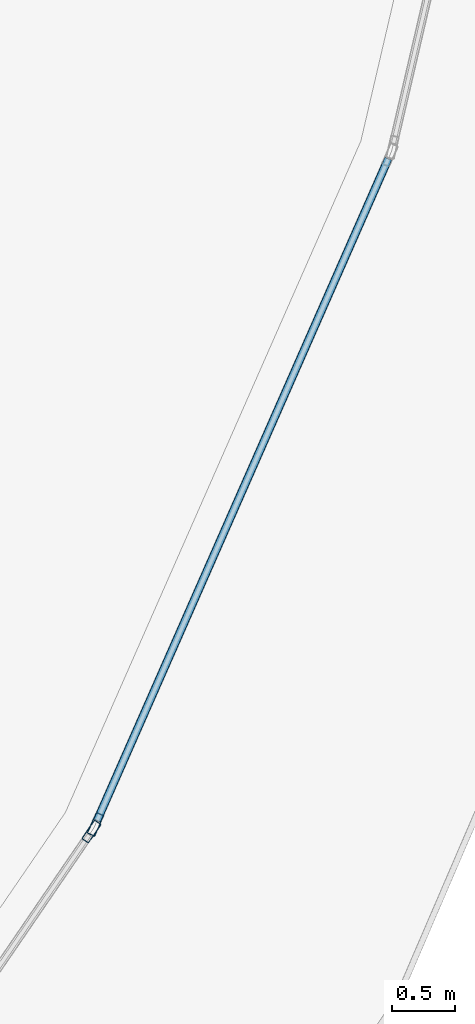
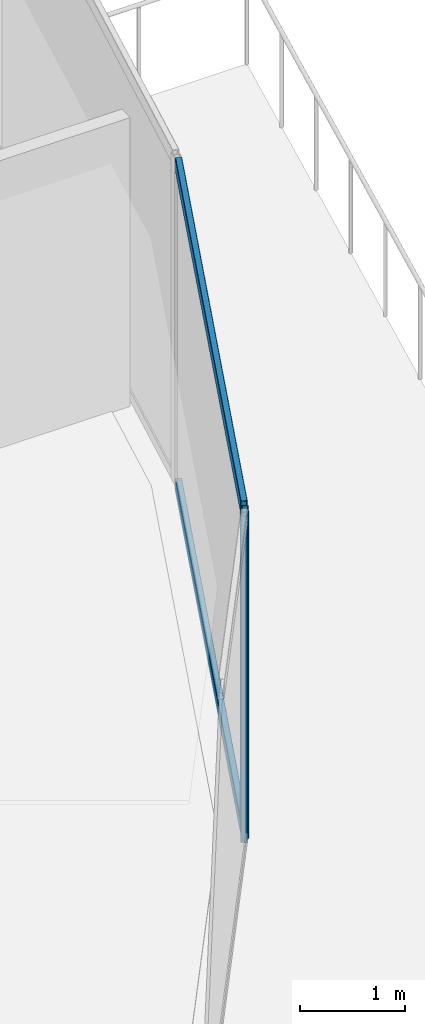
# One storey, part 12 of 33: 4 members, 2 elements without a shape of their own.
"""IFC4 building model written with IfcOpenShell, lengths in metres."""

from ifc_helpers import new_model, si_unit, direction, frame, origin, origin_2d, place, context, subcontext, project, spatial, hollow_rectangle, extrude, material, layer, layer_set, material_profile, profile_set, type_object, element, aggregate, save


model = new_model("IFC4")

# Units and contexts
model_context = context("Model", 3, precision=1e-05, world=origin(), true_north=direction((0.0, 1.0)))
body_context = subcontext(model_context, "Body", "Model", "MODEL_VIEW")
ifc_project = project(units=[si_unit("LENGTHUNIT", "METRE"), si_unit("AREAUNIT", "SQUARE_METRE"), si_unit("VOLUMEUNIT", "CUBIC_METRE"), si_unit("PLANEANGLEUNIT", "RADIAN"), si_unit("MASSUNIT", "GRAM", prefix="KILO")], contexts=[model_context])

# Site, building, storey
site_placement = place(None, origin())
site = spatial("IfcSite", under=ifc_project, at=site_placement, CompositionType="ELEMENT")
building_placement = place(site_placement, origin())
building = spatial("IfcBuilding", under=site, at=building_placement, Name="Qorvath Tower", CompositionType="ELEMENT")
storey_placement = place(building_placement, frame((0.0, 0.0, 221.25)))
storey = spatial("IfcBuildingStorey", under=building, at=storey_placement, Name="L51", CompositionType="ELEMENT", Elevation=221.25)

# Curtain wall, member
ifc_material_1 = material(Name="Anodised aluminium and triple low-E glass", Category="aluminium")
ifc_layer = layer(ifc_material_1, 0.179931640625)
ifc_layer_set = layer_set([ifc_layer], Name="CW-SYS-3")
curtain_wall_type = type_object("IfcCurtainWallType", Name="CW-SYS-3", PredefinedType="NOTDEFINED", material=ifc_layer_set)
curtain_wall_1_placement = place(storey_placement, origin())
curtain_wall_1 = element("IfcCurtainWall", 1, at=curtain_wall_1_placement, inside=storey, type_object=curtain_wall_type, Name="Curtain Wall CW-3 CW-T-L51-5.1", PredefinedType="NOTDEFINED")
ifc_material_2 = material(Name="Anodised aluminium 6063-T6", Category="aluminium")
ifc_material_profile_1 = material_profile(ifc_material_2, hollow_rectangle(XDim=0.06494140625, YDim=0.179931640625, WallThickness=0.00341796875, InnerFilletRadius=0.00341796875, OuterFilletRadius=0.007080078125, at=origin_2d()), Name="CWM 180x65")
ifc_profile_set_1 = profile_set([ifc_material_profile_1], Name="Anodised aluminium 6063-T6")
member_type_1 = type_object("IfcMemberType", Name="CWM-180", PredefinedType="MULLION", material=ifc_profile_set_1)
member_1_placement = place(storey_placement, frame((-3.64794921875, -15.342529296875, 0.0), z_axis=(0.0, 0.0, 1.0), x_axis=(-0.825264440165, 0.564746495163, 0.0)))
member_1 = element("IfcMember", 2, at=member_1_placement, type_object=member_type_1, Name="CW-3 mullion 2", PredefinedType="MULLION", context=body_context, shape_type="SweptSolid", body=[
    extrude(hollow_rectangle(XDim=0.06494140625, YDim=0.179931640625, WallThickness=0.00341796875, InnerFilletRadius=0.00341796875, OuterFilletRadius=0.007080078125, at=origin_2d()), origin(), (0.0, 0.0, 1.0), 3.780029296875),
])
aggregate(curtain_wall_1, [member_1])

# Curtain wall, members
curtain_wall_2_placement = place(storey_placement, origin())
curtain_wall_2 = element("IfcCurtainWall", 3, at=curtain_wall_2_placement, inside=storey, type_object=curtain_wall_type, Name="Curtain Wall CW-3 CW-T-L51-6.1", PredefinedType="NOTDEFINED")
member_2_placement = place(storey_placement, frame((-3.616455078125, -15.285888671875, 0.0), z_axis=(0.0, 0.0, 1.0), x_axis=(-0.915321088723, 0.402724849666, 0.0)))
member_2 = element("IfcMember", 4, at=member_2_placement, type_object=member_type_1, Name="CW-3 mullion 1", PredefinedType="MULLION", context=body_context, shape_type="SweptSolid", body=[
    extrude(hollow_rectangle(XDim=0.06494140625, YDim=0.179931640625, WallThickness=0.00341796875, InnerFilletRadius=0.00341796875, OuterFilletRadius=0.007080078125, at=origin_2d()), origin(), (0.0, 0.0, 1.0), 3.780029296875),
])
ifc_material_3 = material(Name="Anodised aluminium 6063-T6", Category="aluminium")
ifc_material_profile_2 = material_profile(ifc_material_3, hollow_rectangle(XDim=0.06494140625, YDim=0.159912109375, WallThickness=0.00341796875, InnerFilletRadius=0.00341796875, OuterFilletRadius=0.007080078125, at=origin_2d()), Name="CWT 160x65")
ifc_profile_set_2 = profile_set([ifc_material_profile_2], Name="Anodised aluminium 6063-T6")
member_type_2 = type_object("IfcMemberType", Name="CWT-160", PredefinedType="USERDEFINED", material=ifc_profile_set_2)
member_3_placement = place(storey_placement, frame((-3.603515625, -15.256103515625, 0.032470703125), z_axis=(0.402761527447, 0.915304950281, 0.0), x_axis=(-0.915304950281, 0.402761527447, 0.0)))
member_3 = element("IfcMember", 5, at=member_3_placement, type_object=member_type_2, Name="CW-3 transom 1.1", ObjectType="TRANSOM", PredefinedType="USERDEFINED", context=body_context, shape_type="SweptSolid", body=[
    extrude(hollow_rectangle(XDim=0.06494140625, YDim=0.159912109375, WallThickness=0.00341796875, InnerFilletRadius=0.00341796875, OuterFilletRadius=0.007080078125, at=origin_2d()), origin(), (0.0, 0.0, 1.0), 5.713134765625),
])
member_4_placement = place(storey_placement, frame((-3.603515625, -15.256103515625, 3.74755859375), z_axis=(0.402761527447, 0.915304950281, 0.0), x_axis=(-0.915304950281, 0.402761527447, 0.0)))
member_4 = element("IfcMember", 6, at=member_4_placement, type_object=member_type_2, Name="CW-3 transom 1.2", ObjectType="TRANSOM", PredefinedType="USERDEFINED", context=body_context, shape_type="SweptSolid", body=[
    extrude(hollow_rectangle(XDim=0.06494140625, YDim=0.159912109375, WallThickness=0.00341796875, InnerFilletRadius=0.00341796875, OuterFilletRadius=0.007080078125, at=origin_2d()), origin(), (0.0, 0.0, 1.0), 5.713134765625),
])
aggregate(curtain_wall_2, [member_2, member_3, member_4])

save(model, "model.ifc")
